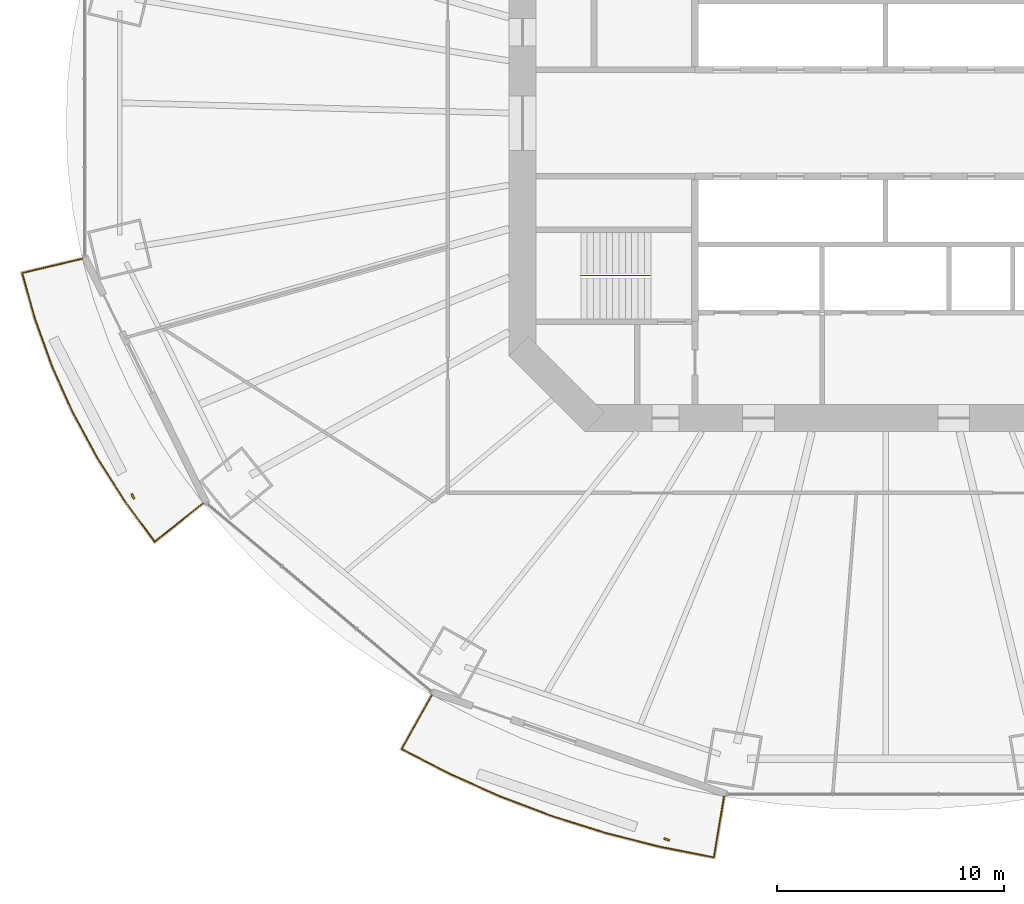
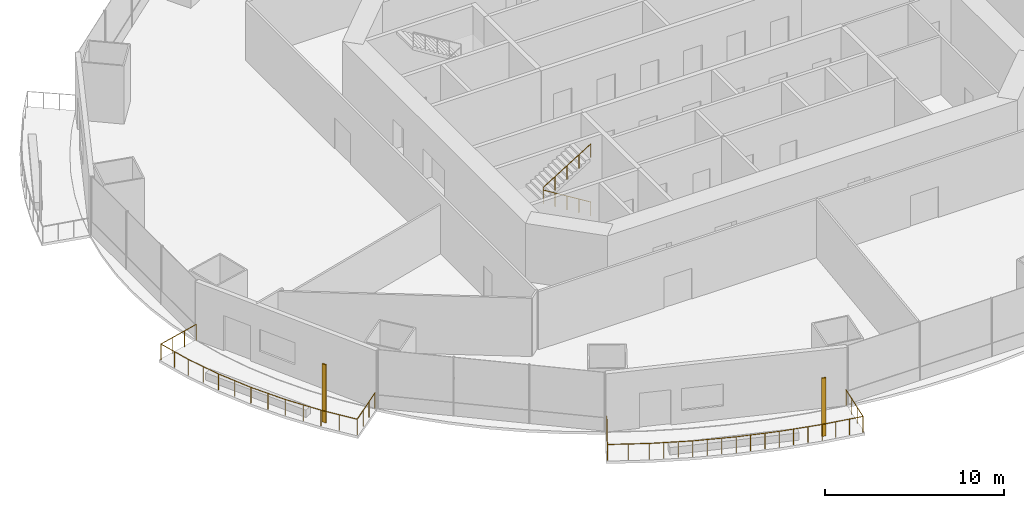
# One storey, part 18 of 23: 3 railings, 2 shading devices.
"""IFC4 building model written with IfcOpenShell, lengths in metres."""

from ifc_helpers import new_model, si_unit, direction, frame, origin, origin_2d, place, context, subcontext, project, spatial, rectangle, circle, extrude, material, material_profile, profile_set, type_object, element, save


model = new_model("IFC4")

# Units and contexts
model_context = context("Model", 3, precision=1e-05, world=origin(), true_north=direction((0.0, 1.0)))
body_context = subcontext(model_context, "Body", "Model", "MODEL_VIEW")
ifc_project = project(units=[si_unit("LENGTHUNIT", "METRE"), si_unit("AREAUNIT", "SQUARE_METRE"), si_unit("VOLUMEUNIT", "CUBIC_METRE"), si_unit("PLANEANGLEUNIT", "RADIAN"), si_unit("MASSUNIT", "GRAM", prefix="KILO")], contexts=[model_context])

# Site, building, storey
site_placement = place(None, origin())
site = spatial("IfcSite", under=ifc_project, at=site_placement, CompositionType="ELEMENT")
building_placement = place(site_placement, origin())
building = spatial("IfcBuilding", under=site, at=building_placement, Name="Marenthal Gate Tower", CompositionType="ELEMENT")
storey_placement = place(building_placement, frame((0.0, 0.0, 66.199951171875)))
storey = spatial("IfcBuildingStorey", under=building, at=storey_placement, Name="L12", CompositionType="ELEMENT", Elevation=66.199951171875)

# Railings
ifc_material_1 = material(Name="Stainless steel", Category="steel")
railing_type_1 = type_object("IfcRailingType", Name="Balcony guard 1100", PredefinedType="GUARDRAIL", material=ifc_material_1)
railing_1_placement = place(storey_placement, frame((-30.078369140625, -16.754150390625, 0.0)))
element("IfcRailing", 1, at=railing_1_placement, inside=storey, type_object=railing_type_1, Name="Balcony guard L12 bay 9", PredefinedType="GUARDRAIL", context=body_context, shape_type="SweptSolid", body=[
    extrude(circle(Radius=0.02392578125, at=origin_2d()), frame((0.0, 0.0, 1.076171875), z_axis=(-0.782104673264, -0.6229732083, -0.014719436128), x_axis=(0.623040706516, -0.782189413137, 0.0)), (0.0, 0.0, 1.0), 2.72021484375),
    extrude(circle(Radius=0.02392578125, at=origin_2d()), frame((-2.12744140625, -1.694580078125, 1.0361328125), z_axis=(-0.59484873049, 0.803837662613, 0.0), x_axis=(-0.803837662613, -0.59484873049, 0.0)), (0.0, 0.0, 1.0), 2.204345703125),
    extrude(circle(Radius=0.02392578125, at=origin_2d()), frame((-3.438720703125, 0.077392578125, 1.0361328125), z_axis=(-0.537628198706, 0.843182020655, 0.0), x_axis=(-0.843182020655, -0.537628198706, 0.0)), (0.0, 0.0, 1.0), 2.26611328125),
    extrude(circle(Radius=0.02392578125, at=origin_2d()), frame((-4.656982421875, 1.988037109375, 1.0361328125), z_axis=(-0.475471623431, 0.879731058513, 0.0), x_axis=(-0.879731058513, -0.475471623431, 0.0)), (0.0, 0.0, 1.0), 2.2490234375),
    extrude(circle(Radius=0.02392578125, at=origin_2d()), frame((-5.726318359375, 3.966552734375, 1.0361328125), z_axis=(-0.40966465878, 0.912236190549, 0.0), x_axis=(-0.912236190549, -0.40966465878, 0.0)), (0.0, 0.0, 1.0), 2.233642578125),
    extrude(circle(Radius=0.02392578125, at=origin_2d()), frame((-6.641357421875, 6.004150390625, 1.0361328125), z_axis=(-0.340268465621, 0.94032833165, 0.0), x_axis=(-0.94032833165, -0.340268465621, 0.0)), (0.0, 0.0, 1.0), 2.220703125),
    extrude(circle(Radius=0.02392578125, at=origin_2d()), frame((-7.39697265625, 8.09228515625, 1.0361328125), z_axis=(-0.269464118276, 0.96301043035, 0.0), x_axis=(-0.96301043035, -0.269464118276, 0.0)), (0.0, 0.0, 1.0), 2.130126953125),
    extrude(circle(Radius=0.02392578125, at=origin_2d()), frame((-7.970947265625, 10.1435546875, 1.0361328125), z_axis=(0.972926666051, 0.23064491576, 0.014718196959), x_axis=(-0.230669901584, 0.973032063451, 0.0)), (0.0, 0.0, 1.0), 2.720458984375),
    extrude(circle(Radius=0.02099609375, at=origin_2d()), origin(), (0.0, 0.0, 1.0), 1.052001953125),
    extrude(circle(Radius=0.02099609375, at=origin_2d()), frame((-0.709228515625, -0.56494140625, -0.013427734375)), (0.0, 0.0, 1.0), 1.052001953125),
    extrude(circle(Radius=0.02099609375, at=origin_2d()), frame((-1.418212890625, -1.129638671875, -0.026611328125)), (0.0, 0.0, 1.0), 1.052001953125),
    extrude(circle(Radius=0.02099609375, at=origin_2d()), frame((-2.12744140625, -1.694580078125, -0.0400390625)), (0.0, 0.0, 1.0), 1.052001953125),
    extrude(circle(Radius=0.02099609375, at=origin_2d()), frame((-2.783203125, -0.80859375, -0.0400390625)), (0.0, 0.0, 1.0), 1.052001953125),
    extrude(circle(Radius=0.02099609375, at=origin_2d()), frame((-3.438720703125, 0.077392578125, -0.0400390625)), (0.0, 0.0, 1.0), 1.052001953125),
    extrude(circle(Radius=0.02099609375, at=origin_2d()), frame((-4.0478515625, 1.03271484375, -0.0400390625)), (0.0, 0.0, 1.0), 1.052001953125),
    extrude(circle(Radius=0.02099609375, at=origin_2d()), frame((-4.656982421875, 1.988037109375, -0.0400390625)), (0.0, 0.0, 1.0), 1.052001953125),
    extrude(circle(Radius=0.02099609375, at=origin_2d()), frame((-5.191650390625, 2.977294921875, -0.0400390625)), (0.0, 0.0, 1.0), 1.052001953125),
    extrude(circle(Radius=0.02099609375, at=origin_2d()), frame((-5.726318359375, 3.966552734375, -0.0400390625)), (0.0, 0.0, 1.0), 1.052001953125),
    extrude(circle(Radius=0.02099609375, at=origin_2d()), frame((-6.183837890625, 4.9853515625, -0.0400390625)), (0.0, 0.0, 1.0), 1.052001953125),
    extrude(circle(Radius=0.02099609375, at=origin_2d()), frame((-6.641357421875, 6.004150390625, -0.0400390625)), (0.0, 0.0, 1.0), 1.052001953125),
    extrude(circle(Radius=0.02099609375, at=origin_2d()), frame((-7.01904296875, 7.04833984375, -0.0400390625)), (0.0, 0.0, 1.0), 1.052001953125),
    extrude(circle(Radius=0.02099609375, at=origin_2d()), frame((-7.39697265625, 8.09228515625, -0.0400390625)), (0.0, 0.0, 1.0), 1.052001953125),
    extrude(circle(Radius=0.02099609375, at=origin_2d()), frame((-7.68408203125, 9.117919921875, -0.0400390625)), (0.0, 0.0, 1.0), 1.052001953125),
    extrude(circle(Radius=0.02099609375, at=origin_2d()), frame((-7.970947265625, 10.1435546875, -0.0400390625)), (0.0, 0.0, 1.0), 1.052001953125),
    extrude(circle(Radius=0.02099609375, at=origin_2d()), frame((-7.088623046875, 10.352783203125, -0.026611328125)), (0.0, 0.0, 1.0), 1.052001953125),
    extrude(circle(Radius=0.02099609375, at=origin_2d()), frame((-6.20654296875, 10.561767578125, -0.013427734375)), (0.0, 0.0, 1.0), 1.052001953125),
    extrude(circle(Radius=0.02099609375, at=origin_2d()), frame((-5.32421875, 10.77099609375, 0.0)), (0.0, 0.0, 1.0), 1.052001953125),
])
railing_2_placement = place(storey_placement, frame((-7.12451171875, -29.67431640625, 0.0)))
element("IfcRailing", 2, at=railing_2_placement, inside=storey, type_object=railing_type_1, Name="Balcony guard L12 bay 11", PredefinedType="GUARDRAIL", context=body_context, shape_type="SweptSolid", body=[
    extrude(circle(Radius=0.02392578125, at=origin_2d()), frame((0.0, 0.0, 1.076171875), z_axis=(-0.164599482451, -0.986250661205, -0.014718819587), x_axis=(0.986357511038, -0.164617315064, 0.0)), (0.0, 0.0, 1.0), 2.72021484375),
    extrude(circle(Radius=0.02392578125, at=origin_2d()), frame((-0.44775390625, -2.682861328125, 1.0361328125), z_axis=(-0.981247114518, 0.192753988932, 0.0), x_axis=(-0.192753988932, -0.981247114518, 0.0)), (0.0, 0.0, 1.0), 2.416748046875),
    extrude(circle(Radius=0.02392578125, at=origin_2d()), frame((-2.819091796875, -2.217041015625, 1.0361328125), z_axis=(-0.969164557422, 0.24641440834, 0.0), x_axis=(-0.24641440834, -0.969164557422, 0.0)), (0.0, 0.0, 1.0), 2.48681640625),
    extrude(circle(Radius=0.02392578125, at=origin_2d()), frame((-5.229248046875, -1.604248046875, 1.0361328125), z_axis=(-0.953670609563, 0.300852735495, 0.0), x_axis=(-0.300852735495, -0.953670609563, 0.0)), (0.0, 0.0, 1.0), 2.474365234375),
    extrude(circle(Radius=0.02392578125, at=origin_2d()), frame((-7.5888671875, -0.85986328125, 1.0361328125), z_axis=(-0.934856725019, 0.355025215564, 0.0), x_axis=(-0.355025215564, -0.934856725019, 0.0)), (0.0, 0.0, 1.0), 2.459716796875),
    extrude(circle(Radius=0.02392578125, at=origin_2d()), frame((-9.888427734375, 0.013427734375, 1.0361328125), z_axis=(-0.912604464389, 0.408843602833, 0.0), x_axis=(-0.408843602833, -0.912604464389, 0.0)), (0.0, 0.0, 1.0), 2.443603515625),
    extrude(circle(Radius=0.02392578125, at=origin_2d()), frame((-12.118408203125, 1.012451171875, 1.0361328125), z_axis=(-0.887238949587, 0.461310141159, 0.0), x_axis=(-0.461310141159, -0.887238949587, 0.0)), (0.0, 0.0, 1.0), 2.34619140625),
    extrude(circle(Radius=0.02392578125, at=origin_2d()), frame((-14.199951171875, 2.0947265625, 1.0361328125), z_axis=(0.488848293332, 0.872244641619, 0.014718399138), x_axis=(-0.872339134705, 0.488901251851, 0.0)), (0.0, 0.0, 1.0), 2.720458984375),
    extrude(circle(Radius=0.02099609375, at=origin_2d()), origin(), (0.0, 0.0, 1.0), 1.052001953125),
    extrude(circle(Radius=0.02099609375, at=origin_2d()), frame((-0.149169921875, -0.894287109375, -0.013427734375)), (0.0, 0.0, 1.0), 1.052001953125),
    extrude(circle(Radius=0.02099609375, at=origin_2d()), frame((-0.298583984375, -1.78857421875, -0.026611328125)), (0.0, 0.0, 1.0), 1.052001953125),
    extrude(circle(Radius=0.02099609375, at=origin_2d()), frame((-0.44775390625, -2.682861328125, -0.0400390625)), (0.0, 0.0, 1.0), 1.052001953125),
    extrude(circle(Radius=0.02099609375, at=origin_2d()), frame((-1.23828125, -2.527587890625, -0.0400390625)), (0.0, 0.0, 1.0), 1.052001953125),
    extrude(circle(Radius=0.02099609375, at=origin_2d()), frame((-2.028564453125, -2.372314453125, -0.0400390625)), (0.0, 0.0, 1.0), 1.052001953125),
    extrude(circle(Radius=0.02099609375, at=origin_2d()), frame((-2.819091796875, -2.217041015625, -0.0400390625)), (0.0, 0.0, 1.0), 1.052001953125),
    extrude(circle(Radius=0.02099609375, at=origin_2d()), frame((-3.62255859375, -2.0126953125, -0.0400390625)), (0.0, 0.0, 1.0), 1.052001953125),
    extrude(circle(Radius=0.02099609375, at=origin_2d()), frame((-4.42578125, -1.80859375, -0.0400390625)), (0.0, 0.0, 1.0), 1.052001953125),
    extrude(circle(Radius=0.02099609375, at=origin_2d()), frame((-5.229248046875, -1.604248046875, -0.0400390625)), (0.0, 0.0, 1.0), 1.052001953125),
    extrude(circle(Radius=0.02099609375, at=origin_2d()), frame((-6.015869140625, -1.356201171875, -0.0400390625)), (0.0, 0.0, 1.0), 1.052001953125),
    extrude(circle(Radius=0.02099609375, at=origin_2d()), frame((-6.80224609375, -1.10791015625, -0.0400390625)), (0.0, 0.0, 1.0), 1.052001953125),
    extrude(circle(Radius=0.02099609375, at=origin_2d()), frame((-7.5888671875, -0.85986328125, -0.0400390625)), (0.0, 0.0, 1.0), 1.052001953125),
    extrude(circle(Radius=0.02099609375, at=origin_2d()), frame((-8.35546875, -0.56884765625, -0.0400390625)), (0.0, 0.0, 1.0), 1.052001953125),
    extrude(circle(Radius=0.02099609375, at=origin_2d()), frame((-9.121826171875, -0.277587890625, -0.0400390625)), (0.0, 0.0, 1.0), 1.052001953125),
    extrude(circle(Radius=0.02099609375, at=origin_2d()), frame((-9.888427734375, 0.013427734375, -0.0400390625)), (0.0, 0.0, 1.0), 1.052001953125),
    extrude(circle(Radius=0.02099609375, at=origin_2d()), frame((-10.6318359375, 0.346435546875, -0.0400390625)), (0.0, 0.0, 1.0), 1.052001953125),
    extrude(circle(Radius=0.02099609375, at=origin_2d()), frame((-11.375, 0.679443359375, -0.0400390625)), (0.0, 0.0, 1.0), 1.052001953125),
    extrude(circle(Radius=0.02099609375, at=origin_2d()), frame((-12.118408203125, 1.012451171875, -0.0400390625)), (0.0, 0.0, 1.0), 1.052001953125),
    extrude(circle(Radius=0.02099609375, at=origin_2d()), frame((-13.1591796875, 1.5537109375, -0.0400390625)), (0.0, 0.0, 1.0), 1.052001953125),
    extrude(circle(Radius=0.02099609375, at=origin_2d()), frame((-14.199951171875, 2.0947265625, -0.0400390625)), (0.0, 0.0, 1.0), 1.052001953125),
    extrude(circle(Radius=0.02099609375, at=origin_2d()), frame((-13.756591796875, 2.8857421875, -0.026611328125)), (0.0, 0.0, 1.0), 1.052001953125),
    extrude(circle(Radius=0.02099609375, at=origin_2d()), frame((-13.3134765625, 3.676513671875, -0.013427734375)), (0.0, 0.0, 1.0), 1.052001953125),
    extrude(circle(Radius=0.02099609375, at=origin_2d()), frame((-12.8701171875, 4.467529296875, 0.0)), (0.0, 0.0, 1.0), 1.052001953125),
])
ifc_material_2 = material(Name="Stainless steel", Category="steel")
railing_type_2 = type_object("IfcRailingType", Name="Stair handrail", PredefinedType="HANDRAIL", material=ifc_material_2)
railing_3_placement = place(storey_placement, frame((-10.35009765625, -6.72509765625, 0.1728515625)))
element("IfcRailing", 3, at=railing_3_placement, inside=storey, type_object=railing_type_2, Name="Handrail ST2", PredefinedType="HANDRAIL", context=body_context, shape_type="SweptSolid", body=[
    extrude(circle(Radius=0.0224609375, at=origin_2d()), frame((0.0, 0.0, 0.927490234375), z_axis=(-0.850816621229, 0.0, 0.525462726595), x_axis=(0.0, -1.0, 0.0)), (0.0, 0.0, 1.0), 3.619873046875),
    extrude(circle(Radius=0.0224609375, at=origin_2d()), frame((-3.079833984375, 0.0, 2.82958984375), z_axis=(0.0, 0.0, 1.0), x_axis=(1.0, 0.0, 0.0)), (0.0, 0.0, 1.0), 0.173095703125),
    extrude(circle(Radius=0.0224609375, at=origin_2d()), frame((-3.079833984375, 0.0, 3.002685546875), z_axis=(0.850816621229, 0.0, 0.525462726595), x_axis=(0.0, 1.0, 0.0)), (0.0, 0.0, 1.0), 3.619873046875),
    extrude(circle(Radius=0.02001953125, at=origin_2d()), origin(), (0.0, 0.0, 1.0), 0.905029296875),
    extrude(circle(Radius=0.02001953125, at=origin_2d()), frame((-0.77001953125, 0.0, 0.4755859375)), (0.0, 0.0, 1.0), 0.905029296875),
    extrude(circle(Radius=0.02001953125, at=origin_2d()), frame((-1.5400390625, 0.0, 0.951171875)), (0.0, 0.0, 1.0), 0.905029296875),
    extrude(circle(Radius=0.02001953125, at=origin_2d()), frame((-2.309814453125, 0.0, 1.426513671875)), (0.0, 0.0, 1.0), 0.905029296875),
    extrude(circle(Radius=0.02001953125, at=origin_2d()), frame((-3.079833984375, 0.0, 1.902099609375)), (0.0, 0.0, 1.0), 0.905029296875),
    extrude(circle(Radius=0.02001953125, at=origin_2d()), frame((-3.079833984375, 0.0, 2.0751953125)), (0.0, 0.0, 1.0), 0.905029296875),
    extrude(circle(Radius=0.02001953125, at=origin_2d()), frame((-2.309814453125, 0.0, 2.55078125)), (0.0, 0.0, 1.0), 0.905029296875),
    extrude(circle(Radius=0.02001953125, at=origin_2d()), frame((-1.5400390625, 0.0, 3.0263671875)), (0.0, 0.0, 1.0), 0.905029296875),
    extrude(circle(Radius=0.02001953125, at=origin_2d()), frame((-0.77001953125, 0.0, 3.501708984375)), (0.0, 0.0, 1.0), 0.905029296875),
    extrude(circle(Radius=0.02001953125, at=origin_2d()), frame((0.0, 0.0, 3.977294921875)), (0.0, 0.0, 1.0), 0.905029296875),
])

# Shading devices
ifc_material_3 = material(Name="Terracotta", Category="masonry")
ifc_material_profile = material_profile(ifc_material_3, rectangle(XDim=0.25, YDim=0.080078125, at=origin_2d()), Name="Terracotta baguette 250x80")
ifc_profile_set = profile_set([ifc_material_profile], Name="Terracotta")
shading_device_type = type_object("IfcShadingDeviceType", Name="Terracotta BAGUETTE SCREEN 250x80", PredefinedType="USERDEFINED", material=ifc_profile_set)
for number, where, z_axis, x_axis, name in (
    (4, (-33.17041015625, -16.453125, -0.0400390625), (0.0, 0.0, 1.0), (0.442993196296, -0.896524973459, 0.0), "Terracotta BAGUETTE L12 bay 9R"),
    (5, (-9.651123046875, -31.56787109375, -0.0400390625), (0.0, 0.0, 1.0), (0.944672154092, -0.32801603815, 0.0), "Terracotta BAGUETTE L12 bay 11R"),
):
    element("IfcShadingDevice", number, at=place(storey_placement, frame(where, z_axis=z_axis, x_axis=x_axis)), inside=storey, type_object=shading_device_type, Name=name, ObjectType="BAGUETTE SCREEN", PredefinedType="USERDEFINED", context=body_context, shape_type="SweptSolid", body=[
        extrude(rectangle(XDim=0.25, YDim=0.080078125, at=origin_2d()), origin(), (0.0, 0.0, 1.0), 3.969970703125),
    ])

save(model, "model.ifc")
